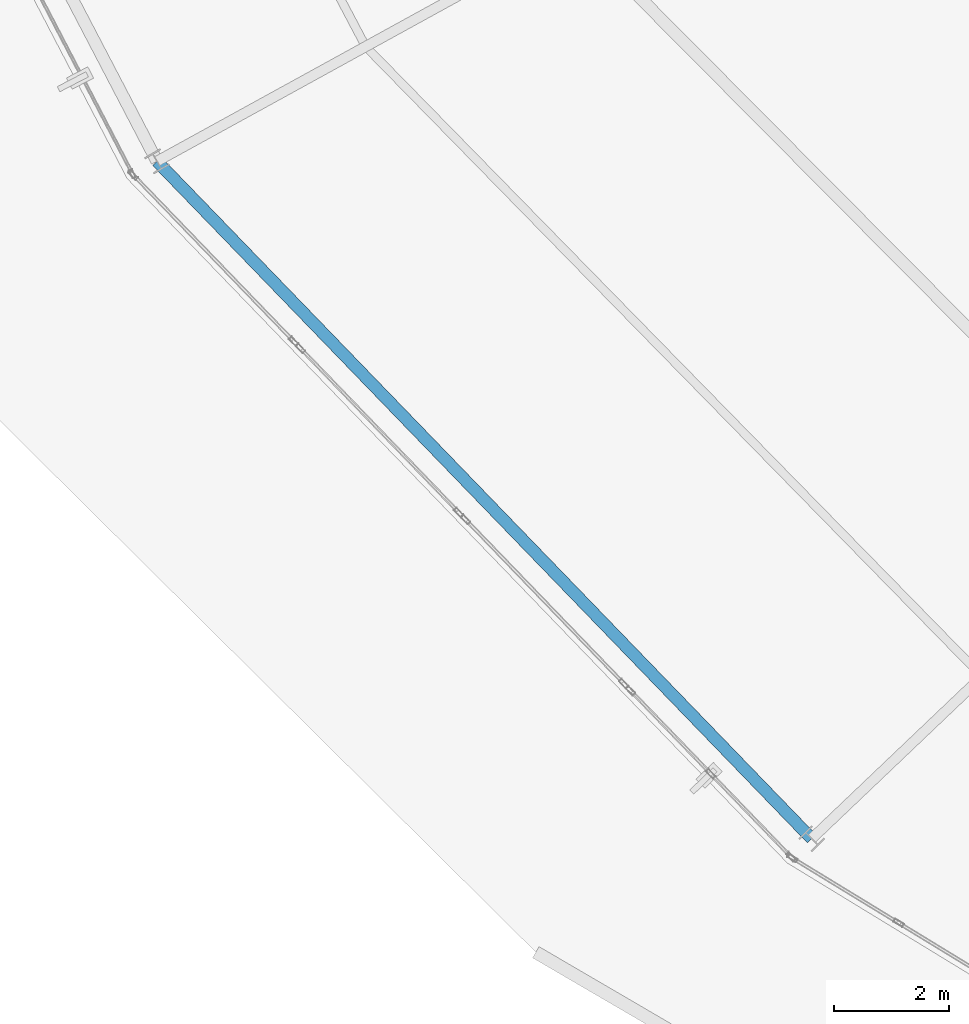
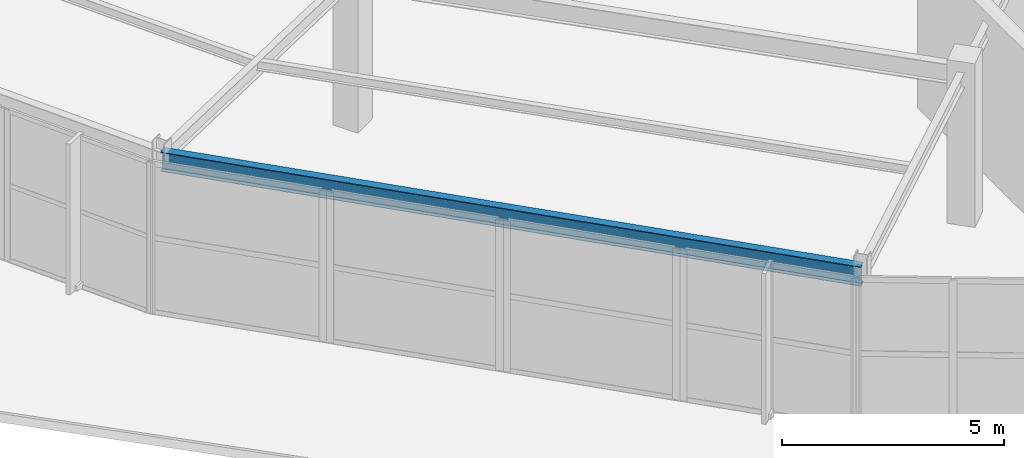
# One storey, part 14 of 126: 1 beam.
"""IFC4 building model written with IfcOpenShell, lengths in metres."""

from ifc_helpers import new_model, si_unit, direction, frame, origin, origin_2d, place, context, subcontext, project, spatial, i_section, extrude, material, material_profile, profile_set, type_object, element, save


model = new_model("IFC4")

# Units and contexts
model_context = context("Model", 3, precision=1e-05, world=origin(), true_north=direction((0.0, 1.0)))
body_context = subcontext(model_context, "Body", "Model", "MODEL_VIEW")
ifc_project = project(units=[si_unit("LENGTHUNIT", "METRE"), si_unit("AREAUNIT", "SQUARE_METRE"), si_unit("VOLUMEUNIT", "CUBIC_METRE"), si_unit("PLANEANGLEUNIT", "RADIAN"), si_unit("MASSUNIT", "GRAM", prefix="KILO")], contexts=[model_context])

# Site, building, storey
site_placement = place(None, origin())
site = spatial("IfcSite", under=ifc_project, at=site_placement, CompositionType="ELEMENT")
building_placement = place(site_placement, origin())
building = spatial("IfcBuilding", under=site, at=building_placement, Name="Kalgoora Escarpment Arena", CompositionType="ELEMENT")
storey_placement = place(building_placement, frame((0.0, 0.0, 18.89990234375)))
storey = spatial("IfcBuildingStorey", under=building, at=storey_placement, Name="L04", CompositionType="ELEMENT", Elevation=18.89990234375)

# Beam
ifc_material = material(Name="Structural steel AS/NZS 3679 (300 MPa)", Category="steel")
ifc_material_profile = material_profile(ifc_material, i_section(OverallWidth=0.208984375, OverallDepth=0.532958984375, WebThickness=0.01025390625, FlangeThickness=0.015625, at=origin_2d()))
ifc_profile_set = profile_set([ifc_material_profile], Name="Structural steel AS/NZS 3679 (300 MPa)")
beam_type = type_object("IfcBeamType", Name="BM-SPANDREL-530UB92.4", PredefinedType="SPANDREL", material=ifc_profile_set)
beam_placement = place(storey_placement, frame((30.219482421875, 35.5, 3.943603515625), z_axis=(0.694974435465, -0.719034445663, 0.0), x_axis=(0.719034445663, 0.694974435465, 0.0)))
element("IfcBeam", 1, at=beam_placement, inside=storey, type_object=beam_type, Name="L04 Circumferential concourse girder RCONC2 530UB92.4", PredefinedType="SPANDREL", context=body_context, shape_type="SweptSolid", body=[
    extrude(i_section(OverallWidth=0.208984375, OverallDepth=0.532958984375, WebThickness=0.01025390625, FlangeThickness=0.015625, at=origin_2d()), origin(), (0.0, 0.0, 1.0), 16.418212890625),
])

save(model, "model.ifc")
